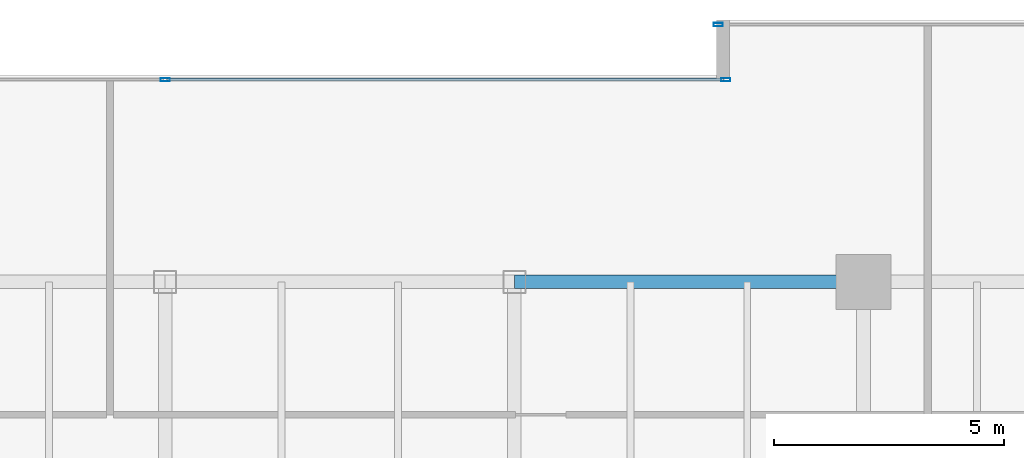
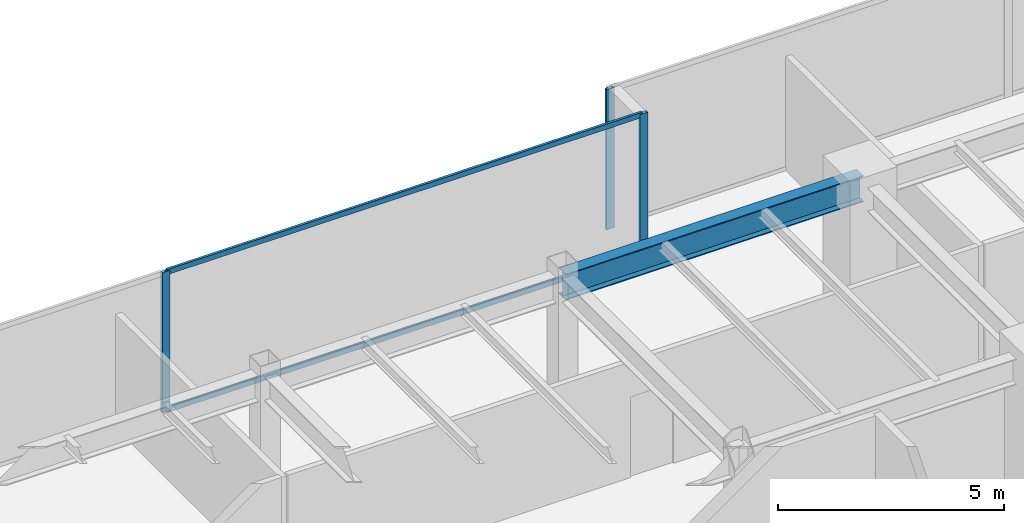
# One storey, part 18 of 30: 5 members, 1 beam, 2 elements without a shape of their own.
"""IFC4 building model written with IfcOpenShell, lengths in metres."""

from ifc_helpers import new_model, si_unit, direction, frame, origin, origin_2d, place, context, subcontext, project, spatial, hollow_rectangle, i_section, extrude, source, transform, mapped, material, layer, layer_set, material_profile, profile_set, type_object, type_shapes, element, aggregate, save


model = new_model("IFC4")

# Units and contexts
model_context = context("Model", 3, precision=1e-05, world=origin(), true_north=direction((0.0, 1.0)))
body_context = subcontext(model_context, "Body", "Model", "MODEL_VIEW")
ifc_project = project(units=[si_unit("LENGTHUNIT", "METRE"), si_unit("AREAUNIT", "SQUARE_METRE"), si_unit("VOLUMEUNIT", "CUBIC_METRE"), si_unit("PLANEANGLEUNIT", "RADIAN"), si_unit("MASSUNIT", "GRAM", prefix="KILO")], contexts=[model_context])

# Site, building, storey
site_placement = place(None, origin())
site = spatial("IfcSite", under=ifc_project, at=site_placement, CompositionType="ELEMENT")
building_placement = place(site_placement, origin())
building = spatial("IfcBuilding", under=site, at=building_placement, Name="Haelvirn Gate Laboratories", CompositionType="ELEMENT")
storey_placement = place(building_placement, frame((0.0, 0.0, 142.0)))
storey = spatial("IfcBuildingStorey", under=building, at=storey_placement, Name="L34", CompositionType="ELEMENT", Elevation=142.0)

# Beam
ifc_material_1 = material(Name="Steel SM355", Category="steel")
ifc_material_profile_1 = material_profile(ifc_material_1, i_section(OverallWidth=0.300048828125, OverallDepth=0.699951171875, WebThickness=0.012939453125, FlangeThickness=0.02392578125, at=origin_2d()), Name="H-700x300x13x24")
ifc_profile_set_1 = profile_set([ifc_material_profile_1], Name="Steel SM355")
beam_type = type_object("IfcBeamType", Name="BM-G-700", PredefinedType="BEAM", material=ifc_profile_set_1)
shared_shape_1 = source(origin(), body_context, "Body", "SweptSolid", [
    extrude(i_section(OverallWidth=0.300048828125, OverallDepth=0.699951171875, WebThickness=0.012939453125, FlangeThickness=0.02392578125, at=origin_2d()), origin(), (0.0, 0.0, 1.0), 7.60009765625),
])
type_shapes(beam_type, [shared_shape_1])
beam_placement = place(storey_placement, frame((45.0, 41.60009765625, 3.43994140625), z_axis=(1.0, 0.0, 0.0), x_axis=(0.0, 1.0, 0.0)))
element("IfcBeam", 1, at=beam_placement, inside=storey, type_object=beam_type, Name="L34 Primary Girder Y41.6 (45.0-52.6)", PredefinedType="BEAM", context=body_context, shape_type="MappedRepresentation", body=[
    mapped(shared_shape_1, transform((0.0, 0.0, 0.0), scale=1.0)),
])

# Curtain wall, members
ifc_material_2 = material(Name="Anodised bronze unitised aluminium & triple low-E glass", Category="aluminium")
ifc_layer = layer(ifc_material_2, 0.179931640625, Name="CW-SYS-3")
ifc_layer_set = layer_set([ifc_layer], Name="Anodised bronze unitised aluminium & triple low-E glass")
curtain_wall_type = type_object("IfcCurtainWallType", Name="CW-SYS-3", PredefinedType="NOTDEFINED", material=ifc_layer_set)
curtain_wall_1_placement = place(storey_placement, origin())
curtain_wall_1 = element("IfcCurtainWall", 2, at=curtain_wall_1_placement, inside=storey, type_object=curtain_wall_type, Name="L34 Unitised Curtain Wall CW-L34-P0-E12-1", PredefinedType="NOTDEFINED")
ifc_material_3 = material(Name="Extruded aluminium 6063-T6 (anodised bronze)", Category="aluminium")
ifc_material_profile_2 = material_profile(ifc_material_3, hollow_rectangle(XDim=0.06494140625, YDim=0.139892578125, WallThickness=0.00390625, at=origin_2d()), Name="CWT-140x65x4")
ifc_profile_set_2 = profile_set([ifc_material_profile_2], Name="Extruded aluminium 6063-T6 (anodised bronze)")
member_type_1 = type_object("IfcMemberType", Name="CWT-T140", PredefinedType="USERDEFINED", material=ifc_profile_set_2)
shared_shape_2 = source(origin(), body_context, "Body", "SweptSolid", [
    extrude(hollow_rectangle(XDim=0.06494140625, YDim=0.139892578125, WallThickness=0.00390625, at=origin_2d()), origin(), (0.0, 0.0, 1.0), 12.12744140625),
])
type_shapes(member_type_1, [shared_shape_2])
member_1_placement = place(storey_placement, frame((37.4375, 46.0, 0.032470703125), z_axis=(1.0, 0.0, 0.0), x_axis=(0.0, 1.0, 0.0)))
member_1 = element("IfcMember", 3, at=member_1_placement, type_object=member_type_1, Name="CW3 transom 2.1", ObjectType="TRANSOM", PredefinedType="USERDEFINED", context=body_context, shape_type="MappedRepresentation", body=[
    mapped(shared_shape_2, transform((0.0, 0.0, 0.0), scale=1.0)),
])
member_2_placement = place(storey_placement, frame((37.4375, 46.0, 3.757568359375), z_axis=(1.0, 0.0, 0.0), x_axis=(0.0, 1.0, 0.0)))
member_2 = element("IfcMember", 4, at=member_2_placement, type_object=member_type_1, Name="CW3 transom 2.2", ObjectType="TRANSOM", PredefinedType="USERDEFINED", context=body_context, shape_type="MappedRepresentation", body=[
    mapped(shared_shape_2, transform((0.0, 0.0, 0.0), scale=1.0)),
])

# Curtain wall, member
curtain_wall_2_placement = place(storey_placement, origin())
curtain_wall_2 = element("IfcCurtainWall", 5, at=curtain_wall_2_placement, inside=storey, type_object=curtain_wall_type, Name="L34 Unitised Curtain Wall CW-L34-P0-E10-1", PredefinedType="NOTDEFINED")
ifc_material_profile_3 = material_profile(ifc_material_3, hollow_rectangle(XDim=0.074951171875, YDim=0.199951171875, WallThickness=0.0048828125, at=origin_2d()), Name="CWM-200x75x5")
ifc_profile_set_3 = profile_set([ifc_material_profile_3], Name="Extruded aluminium 6063-T6 (anodised bronze)")
member_type_2 = type_object("IfcMemberType", Name="CWM-T200", PredefinedType="MULLION", material=ifc_profile_set_3)
shared_shape_3 = source(origin(), body_context, "Body", "SweptSolid", [
    extrude(hollow_rectangle(XDim=0.074951171875, YDim=0.199951171875, WallThickness=0.0048828125, at=origin_2d()), origin(), (0.0, 0.0, 1.0), 3.7900390625),
])
type_shapes(member_type_2, [shared_shape_3])
member_3_placement = place(storey_placement, frame((49.4375, 47.199951171875, 0.0), z_axis=(0.0, 0.0, 1.0), x_axis=(0.0, 1.0, 0.0)))
member_3 = element("IfcMember", 6, at=member_3_placement, type_object=member_type_2, Name="CW3 mullion 1", PredefinedType="MULLION", context=body_context, shape_type="MappedRepresentation", body=[
    mapped(shared_shape_3, transform((0.0, 0.0, 0.0), scale=1.0)),
])
aggregate(curtain_wall_2, [member_3])

# Member
member_4_placement = place(storey_placement, frame((37.39990234375, 46.0, 0.0), z_axis=(0.0, 0.0, 1.0), x_axis=(0.0, 1.0, 0.0)))
member_4 = element("IfcMember", 7, at=member_4_placement, type_object=member_type_2, Name="CW3 mullion 2", PredefinedType="MULLION", context=body_context, shape_type="MappedRepresentation", body=[
    mapped(shared_shape_3, transform((0.0, 0.0, 0.0), scale=1.0)),
])

member_5_placement = place(storey_placement, frame((49.6025390625, 46.0, 0.0), z_axis=(0.0, 0.0, 1.0), x_axis=(0.0, 1.0, 0.0)))
member_5 = element("IfcMember", 8, at=member_5_placement, type_object=member_type_2, Name="CW3 mullion 3", PredefinedType="MULLION", context=body_context, shape_type="MappedRepresentation", body=[
    mapped(shared_shape_3, transform((0.0, 0.0, 0.0), scale=1.0)),
])

aggregate(curtain_wall_1, [member_4, member_5, member_1, member_2])

save(model, "model.ifc")
